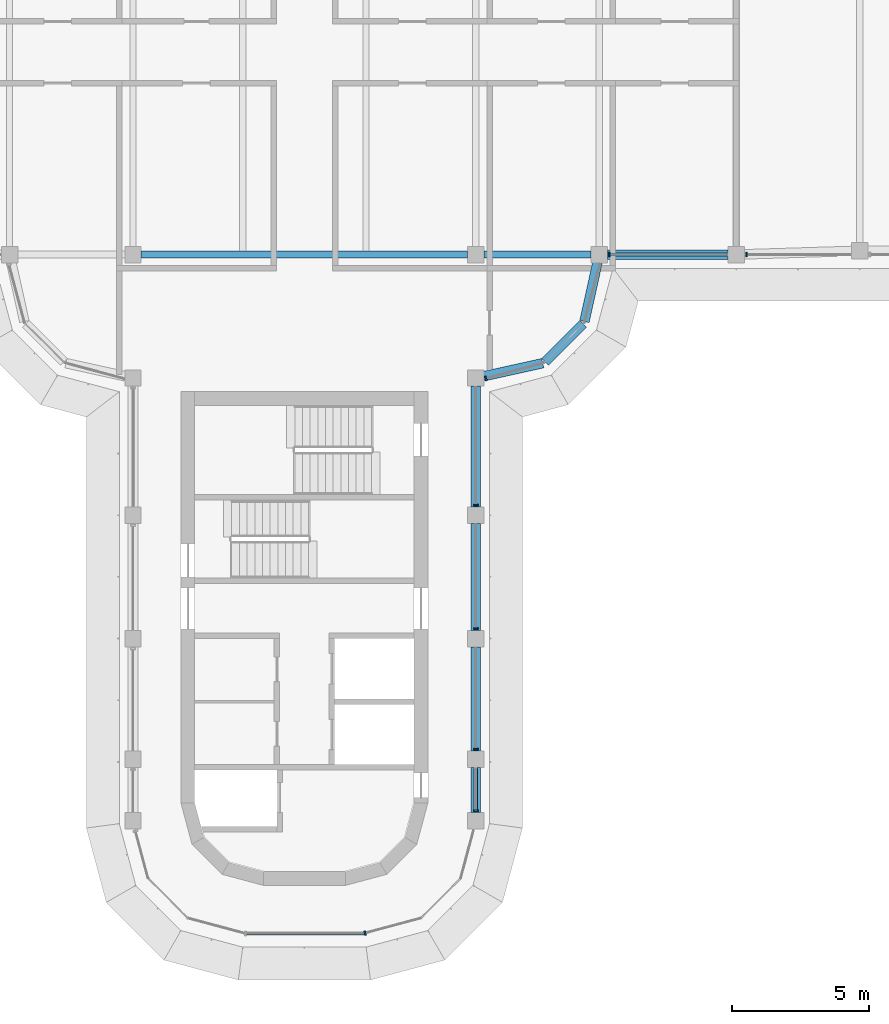
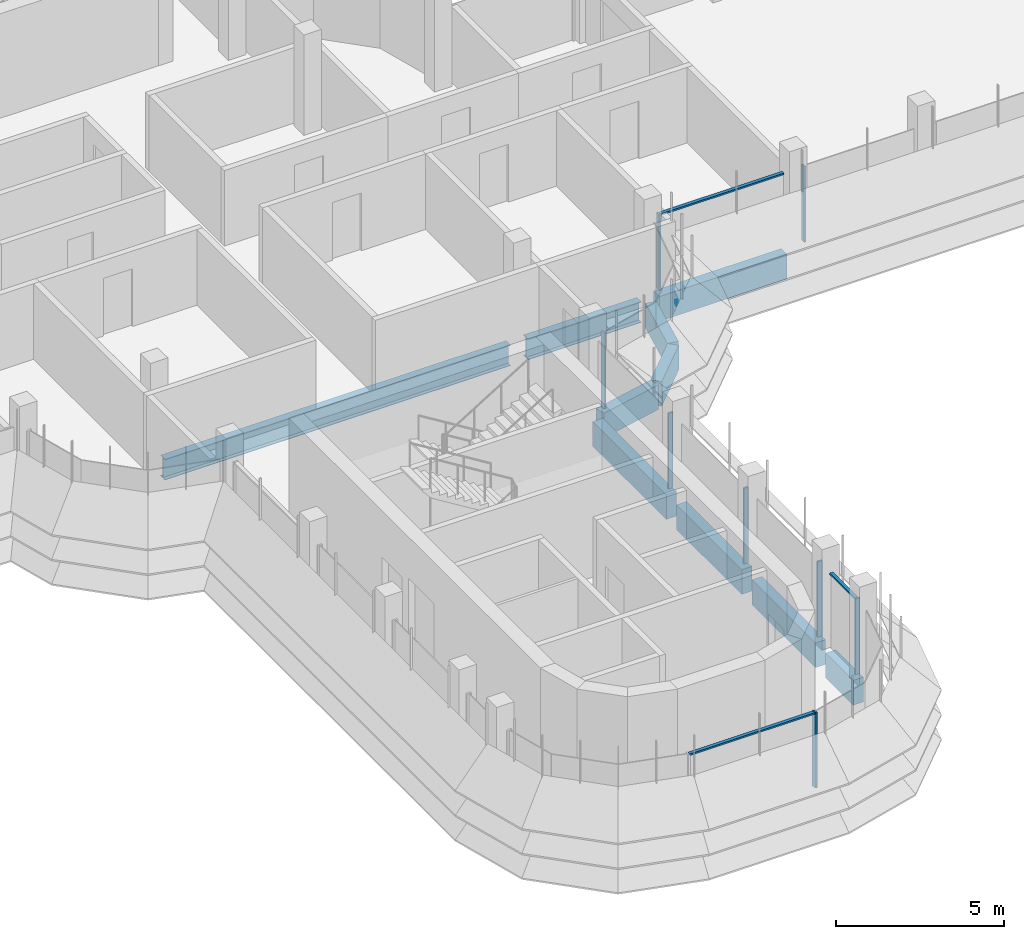
# One storey, part 4 of 19: 11 members, 10 beams, 5 elements without a shape of their own.
"""IFC4 building model written with IfcOpenShell, lengths in metres."""

from ifc_helpers import new_model, si_unit, direction, frame, origin, origin_2d, place, context, subcontext, project, spatial, polyline, rectangle, i_section, outline, extrude, source, transform, mapped, material, material_profile, profile_set, type_object, element, aggregate, save


model = new_model("IFC4")

# Units and contexts
model_context = context("Model", 3, precision=1e-05, world=origin(), true_north=direction((0.0, 1.0)))
body_context = subcontext(model_context, "Body", "Model", "MODEL_VIEW")
ifc_project = project(units=[si_unit("LENGTHUNIT", "METRE"), si_unit("AREAUNIT", "SQUARE_METRE"), si_unit("VOLUMEUNIT", "CUBIC_METRE"), si_unit("PLANEANGLEUNIT", "RADIAN"), si_unit("MASSUNIT", "GRAM", prefix="KILO")], contexts=[model_context])

# Site, building, storey
site_placement = place(None, origin())
site = spatial("IfcSite", under=ifc_project, at=site_placement, CompositionType="ELEMENT")
building_placement = place(site_placement, origin())
building = spatial("IfcBuilding", under=site, at=building_placement, Name="Zarbagh Exchange Tower", CompositionType="ELEMENT")
storey_placement = place(building_placement, frame((0.0, 0.0, 253.60009765625)))
storey = spatial("IfcBuildingStorey", under=building, at=storey_placement, Name="L62", CompositionType="ELEMENT", Elevation=253.60009765625)

# Beams
ifc_material_1 = material(Name="Steel ASTM A992 Gr 50", Category="steel")
ifc_material_profile_1 = material_profile(ifc_material_1, i_section(OverallWidth=0.2666015625, OverallDepth=0.7568359375, WebThickness=0.013916015625, FlangeThickness=0.019287109375, at=origin_2d()), Name="W30X108")
ifc_profile_set_1 = profile_set([ifc_material_profile_1], Name="Steel ASTM A992 Gr 50")
beam_type_1 = type_object("IfcBeamType", Name="Floor girder W30X108", PredefinedType="BEAM", material=ifc_profile_set_1)
beam_1_placement = place(storey_placement, frame((-5.949951171875, -6.25, -0.528564453125), z_axis=(1.0, 0.0, 0.0), x_axis=(0.0, 1.0, 0.0)))
element("IfcBeam", 1, at=beam_1_placement, inside=storey, type_object=beam_type_1, Name="Steel girder", PredefinedType="BEAM", context=body_context, shape_type="SweptSolid", body=[
    extrude(i_section(OverallWidth=0.2666015625, OverallDepth=0.7568359375, WebThickness=0.013916015625, FlangeThickness=0.019287109375, at=origin_2d()), origin(), (0.0, 0.0, 1.0), 11.89990234375),
])
beam_2_placement = place(storey_placement, frame((6.550048828125, -6.25, -0.528564453125), z_axis=(1.0, 0.0, 0.0), x_axis=(0.0, 1.0, 0.0)))
element("IfcBeam", 2, at=beam_2_placement, inside=storey, type_object=beam_type_1, Name="Steel girder", PredefinedType="BEAM", context=body_context, shape_type="SweptSolid", body=[
    extrude(i_section(OverallWidth=0.2666015625, OverallDepth=0.7568359375, WebThickness=0.013916015625, FlangeThickness=0.019287109375, at=origin_2d()), origin(), (0.0, 0.0, 1.0), 3.89990234375),
])
ifc_material_2 = material(Name="Concrete C40/50", Category="concrete")
ifc_material_profile_2 = material_profile(ifc_material_2, rectangle(XDim=0.35009765625, YDim=0.89990234375, at=origin_2d()), Name="RC spandrel beam 350 x 900 C40/50")
ifc_profile_set_2 = profile_set([ifc_material_profile_2], Name="Concrete C40/50")
beam_type_2 = type_object("IfcBeamType", Name="RC spandrel beam 350 x 900 C40/50", PredefinedType="SPANDREL", material=ifc_profile_set_2)
beam_3_placement = place(storey_placement, frame((15.449951171875, -6.25, -0.60009765625), z_axis=(-1.0, 0.0, 0.0), x_axis=(0.0, -1.0, 0.0)))
element("IfcBeam", 3, at=beam_3_placement, inside=storey, type_object=beam_type_2, Name="RC spandrel beam", PredefinedType="SPANDREL", context=body_context, shape_type="SweptSolid", body=[
    extrude(rectangle(XDim=0.35009765625, YDim=0.89990234375, at=origin_2d()), origin(), (0.0, 0.0, 1.0), 4.39990234375),
])
beam_4_placement = place(storey_placement, frame((10.685302734375, -6.54296875, -0.60009765625), z_axis=(-0.216025770228, -0.976387662047, 0.0), x_axis=(0.976387662047, -0.216025770228, 0.0)))
element("IfcBeam", 4, at=beam_4_placement, inside=storey, type_object=beam_type_2, Name="RC spandrel beam", PredefinedType="SPANDREL", context=body_context, shape_type="SweptSolid", body=[
    extrude(rectangle(XDim=0.35009765625, YDim=0.89990234375, at=origin_2d()), origin(), (0.0, 0.0, 1.0), 2.200439453125),
])
beam_5_placement = place(storey_placement, frame((10.16259765625, -8.77734375, -0.60009765625), z_axis=(-0.707106781187, -0.707106781187, 0.0), x_axis=(0.707106781187, -0.707106781187, 0.0)))
element("IfcBeam", 5, at=beam_5_placement, inside=storey, type_object=beam_type_2, Name="RC spandrel beam", PredefinedType="SPANDREL", context=body_context, shape_type="SweptSolid", body=[
    extrude(rectangle(XDim=0.35009765625, YDim=0.89990234375, at=origin_2d()), origin(), (0.0, 0.0, 1.0), 1.958984375),
])
beam_6_placement = place(storey_placement, frame((8.69140625, -10.2099609375, -0.60009765625), z_axis=(-0.976387662047, -0.216025770228, 0.0), x_axis=(0.216025770228, -0.976387662047, 0.0)))
element("IfcBeam", 6, at=beam_6_placement, inside=storey, type_object=beam_type_2, Name="RC spandrel beam", PredefinedType="SPANDREL", context=body_context, shape_type="SweptSolid", body=[
    extrude(rectangle(XDim=0.35009765625, YDim=0.89990234375, at=origin_2d()), origin(), (0.0, 0.0, 1.0), 2.200439453125),
])
beam_7_placement = place(storey_placement, frame((6.25, -11.050048828125, -0.60009765625), z_axis=(0.0, -1.0, 0.0), x_axis=(1.0, 0.0, 0.0)))
element("IfcBeam", 7, at=beam_7_placement, inside=storey, type_object=beam_type_2, Name="RC spandrel beam", PredefinedType="SPANDREL", context=body_context, shape_type="SweptSolid", body=[
    extrude(rectangle(XDim=0.35009765625, YDim=0.89990234375, at=origin_2d()), origin(), (0.0, 0.0, 1.0), 4.39990234375),
])
beam_8_placement = place(storey_placement, frame((6.25, -16.050048828125, -0.60009765625), z_axis=(0.0, -1.0, 0.0), x_axis=(1.0, 0.0, 0.0)))
element("IfcBeam", 8, at=beam_8_placement, inside=storey, type_object=beam_type_2, Name="RC spandrel beam", PredefinedType="SPANDREL", context=body_context, shape_type="SweptSolid", body=[
    extrude(rectangle(XDim=0.35009765625, YDim=0.89990234375, at=origin_2d()), origin(), (0.0, 0.0, 1.0), 3.89990234375),
])
beam_9_placement = place(storey_placement, frame((6.25, -20.550048828125, -0.60009765625), z_axis=(0.0, -1.0, 0.0), x_axis=(1.0, 0.0, 0.0)))
element("IfcBeam", 9, at=beam_9_placement, inside=storey, type_object=beam_type_2, Name="RC spandrel beam", PredefinedType="SPANDREL", context=body_context, shape_type="SweptSolid", body=[
    extrude(rectangle(XDim=0.35009765625, YDim=0.89990234375, at=origin_2d()), origin(), (0.0, 0.0, 1.0), 3.800048828125),
])
beam_10_placement = place(storey_placement, frame((6.25, -24.949951171875, -0.60009765625), z_axis=(0.0, -1.0, 0.0), x_axis=(1.0, 0.0, 0.0)))
element("IfcBeam", 10, at=beam_10_placement, inside=storey, type_object=beam_type_2, Name="RC spandrel beam", PredefinedType="SPANDREL", context=body_context, shape_type="SweptSolid", body=[
    extrude(rectangle(XDim=0.35009765625, YDim=0.89990234375, at=origin_2d()), origin(), (0.0, 0.0, 1.0), 1.650146484375),
])

# Curtain wall, member
ifc_material_3 = material(Name="Anodised aluminium frame and glazing", Category="aluminium")
curtain_wall_type = type_object("IfcCurtainWallType", Name="CWB Ribbon glazing, upper zones", PredefinedType="NOTDEFINED", material=ifc_material_3)
curtain_wall_1_placement = place(storey_placement, origin())
curtain_wall_1 = element("IfcCurtainWall", 11, at=curtain_wall_1_placement, inside=storey, type_object=curtain_wall_type, Name="CWB49 curtain wall", PredefinedType="NOTDEFINED")
ifc_material_4 = material(Name="Anodised aluminium frame", Category="aluminium")
member_type_1 = type_object("IfcMemberType", Name="MUB Mullion, anodised aluminium frame", PredefinedType="MULLION", material=ifc_material_4)
shared_shape_1 = source(origin(), body_context, "Body", "SweptSolid", [
    extrude(outline(polyline([(0.0, -0.080078125), (0.06005859375, -0.080078125), (0.06005859375, 0.080078125), (0.0, 0.080078125), (0.0, -0.080078125)])), origin(), (0.0, 0.0, 1.0), 2.75),
])
placement = place(storey_placement, origin())
member_1 = element("IfcMember", 12, at=placement, type_object=member_type_1, Name="CWB49 mullion 1.1", PredefinedType="MULLION", context=body_context, shape_type="MappedRepresentation", body=[
    mapped(shared_shape_1, transform((2.18408203125, -31.0, 0.0), x_axis=(0.965924289636, 0.258824779902, 0.0), y_axis=(-0.258824779902, 0.965924289636, 0.0), z_axis=(0.0, 0.0, 1.0))),
])
aggregate(curtain_wall_1, [member_1])

# Curtain wall, members
curtain_wall_2_placement = place(storey_placement, origin())
curtain_wall_2 = element("IfcCurtainWall", 13, at=curtain_wall_2_placement, inside=storey, type_object=curtain_wall_type, Name="CWB52 curtain wall", PredefinedType="NOTDEFINED")
member_2 = element("IfcMember", 14, at=placement, type_object=member_type_1, Name="CWB52 mullion 1.1", PredefinedType="MULLION", context=body_context, shape_type="MappedRepresentation", body=[
    mapped(shared_shape_1, transform((6.25, -26.56005859375, 0.0), x_axis=(0.0, 1.0, 0.0), y_axis=(-1.0, 0.0, 0.0), z_axis=(0.0, 0.0, 1.0))),
])
member_3 = element("IfcMember", 15, at=placement, type_object=member_type_1, Name="CWB52 mullion 2.1", PredefinedType="MULLION", context=body_context, shape_type="MappedRepresentation", body=[
    mapped(shared_shape_1, transform((6.25, -24.31005859375, 0.0), x_axis=(0.0, 1.0, 0.0), y_axis=(-1.0, 0.0, 0.0), z_axis=(0.0, 0.0, 1.0))),
])
member_4 = element("IfcMember", 16, at=placement, type_object=member_type_1, Name="CWB52 mullion 3.1", PredefinedType="MULLION", context=body_context, shape_type="MappedRepresentation", body=[
    mapped(shared_shape_1, transform((6.25, -19.909912109375, 0.0), x_axis=(0.0, 1.0, 0.0), y_axis=(-1.0, 0.0, 0.0), z_axis=(0.0, 0.0, 1.0))),
])
member_5 = element("IfcMember", 17, at=placement, type_object=member_type_1, Name="CWB52 mullion 4.1", PredefinedType="MULLION", context=body_context, shape_type="MappedRepresentation", body=[
    mapped(shared_shape_1, transform((6.25, -15.409912109375, 0.0), x_axis=(0.0, 1.0, 0.0), y_axis=(-1.0, 0.0, 0.0), z_axis=(0.0, 0.0, 1.0))),
])

# Curtain wall, member
curtain_wall_3_placement = place(storey_placement, origin())
curtain_wall_3 = element("IfcCurtainWall", 18, at=curtain_wall_3_placement, inside=storey, type_object=curtain_wall_type, Name="CWB05 curtain wall", PredefinedType="NOTDEFINED")
member_6 = element("IfcMember", 19, at=placement, type_object=member_type_1, Name="CWB05 mullion 1.1", PredefinedType="MULLION", context=body_context, shape_type="MappedRepresentation", body=[
    mapped(shared_shape_1, transform((6.590087890625, -10.775146484375, 0.0), x_axis=(0.965924289636, 0.258824779902, 0.0), y_axis=(-0.258824779902, 0.965924289636, 0.0), z_axis=(0.0, 0.0, 1.0))),
])
aggregate(curtain_wall_3, [member_6])

# Curtain wall, members
curtain_wall_4_placement = place(storey_placement, origin())
curtain_wall_4 = element("IfcCurtainWall", 20, at=curtain_wall_4_placement, inside=storey, type_object=curtain_wall_type, Name="CWB75 curtain wall", PredefinedType="NOTDEFINED")
member_7 = element("IfcMember", 21, at=placement, type_object=member_type_1, Name="CWB75 mullion 1.1", PredefinedType="MULLION", context=body_context, shape_type="MappedRepresentation", body=[
    mapped(shared_shape_1, transform((11.090087890625, -6.25, 0.0), x_axis=(1.0, 0.0, 0.0), y_axis=(0.0, 1.0, 0.0), z_axis=(0.0, 0.0, 1.0))),
])
member_8 = element("IfcMember", 22, at=placement, type_object=member_type_1, Name="CWB75 mullion 2.1", PredefinedType="MULLION", context=body_context, shape_type="MappedRepresentation", body=[
    mapped(shared_shape_1, transform((16.090087890625, -6.25, 0.0), x_axis=(1.0, 0.0, 0.0), y_axis=(0.0, 1.0, 0.0), z_axis=(0.0, 0.0, 1.0))),
])

# Curtain wall, member
curtain_wall_5_placement = place(storey_placement, origin())
curtain_wall_5 = element("IfcCurtainWall", 23, at=curtain_wall_5_placement, inside=storey, type_object=curtain_wall_type, Name="CWB57 curtain wall", PredefinedType="NOTDEFINED")
member_type_2 = type_object("IfcMemberType", Name="TRB Transom, anodised aluminium frame", PredefinedType="USERDEFINED", material=ifc_material_4)
shared_shape_2 = source(origin(), body_context, "Body", "SweptSolid", [
    extrude(outline(polyline([(-0.06005859375, -0.06005859375), (0.0, -0.06005859375), (0.0, 0.06005859375), (-0.06005859375, 0.06005859375), (-0.06005859375, -0.06005859375)])), origin(), (0.0, 0.0, 1.0), 4.308349609375),
])
member_9 = element("IfcMember", 24, at=placement, type_object=member_type_2, Name="CWB57 transom 1.1", ObjectType="TRANSOM", PredefinedType="USERDEFINED", context=body_context, shape_type="MappedRepresentation", body=[
    mapped(shared_shape_2, transform((-2.124267578125, -31.0, 2.75), x_axis=(0.0, 0.0, 1.0), y_axis=(0.0, -1.0, 0.0), z_axis=(1.0, 0.0, 0.0))),
])
aggregate(curtain_wall_5, [member_9])

# Member
shared_shape_3 = source(origin(), body_context, "Body", "SweptSolid", [
    extrude(outline(polyline([(-0.06005859375, -0.06005859375), (0.0, -0.06005859375), (0.0, 0.06005859375), (-0.06005859375, 0.06005859375), (-0.06005859375, -0.06005859375)])), origin(), (0.0, 0.0, 1.0), 1.510009765625),
])
member_10 = element("IfcMember", 25, at=placement, type_object=member_type_2, Name="CWB52 transom 1.1", ObjectType="TRANSOM", PredefinedType="USERDEFINED", context=body_context, shape_type="MappedRepresentation", body=[
    mapped(shared_shape_3, transform((6.25, -26.5, 2.75), x_axis=(0.0, 0.0, 1.0), y_axis=(1.0, 0.0, 0.0), z_axis=(0.0, 1.0, 0.0))),
])

aggregate(curtain_wall_2, [member_2, member_10, member_3, member_4, member_5])

shared_shape_4 = source(origin(), body_context, "Body", "SweptSolid", [
    extrude(outline(polyline([(-0.06005859375, -0.06005859375), (0.0, -0.06005859375), (0.0, 0.06005859375), (-0.06005859375, 0.06005859375), (-0.06005859375, -0.06005859375)])), origin(), (0.0, 0.0, 1.0), 4.260009765625),
])
member_11 = element("IfcMember", 26, at=placement, type_object=member_type_2, Name="CWB75 transom 1.1", ObjectType="TRANSOM", PredefinedType="USERDEFINED", context=body_context, shape_type="MappedRepresentation", body=[
    mapped(shared_shape_4, transform((11.150146484375, -6.25, 2.75), x_axis=(0.0, 0.0, 1.0), y_axis=(0.0, -1.0, 0.0), z_axis=(1.0, 0.0, 0.0))),
])

aggregate(curtain_wall_4, [member_7, member_11, member_8])

save(model, "model.ifc")
